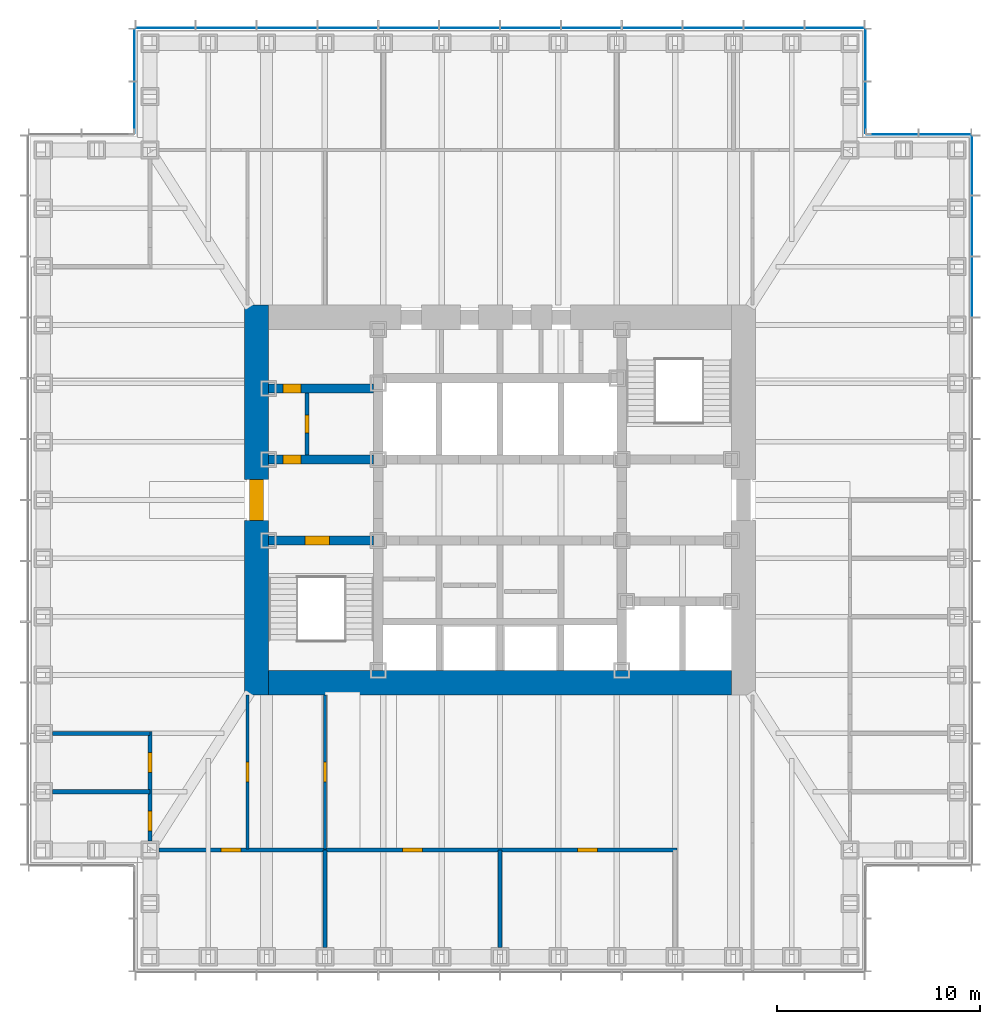
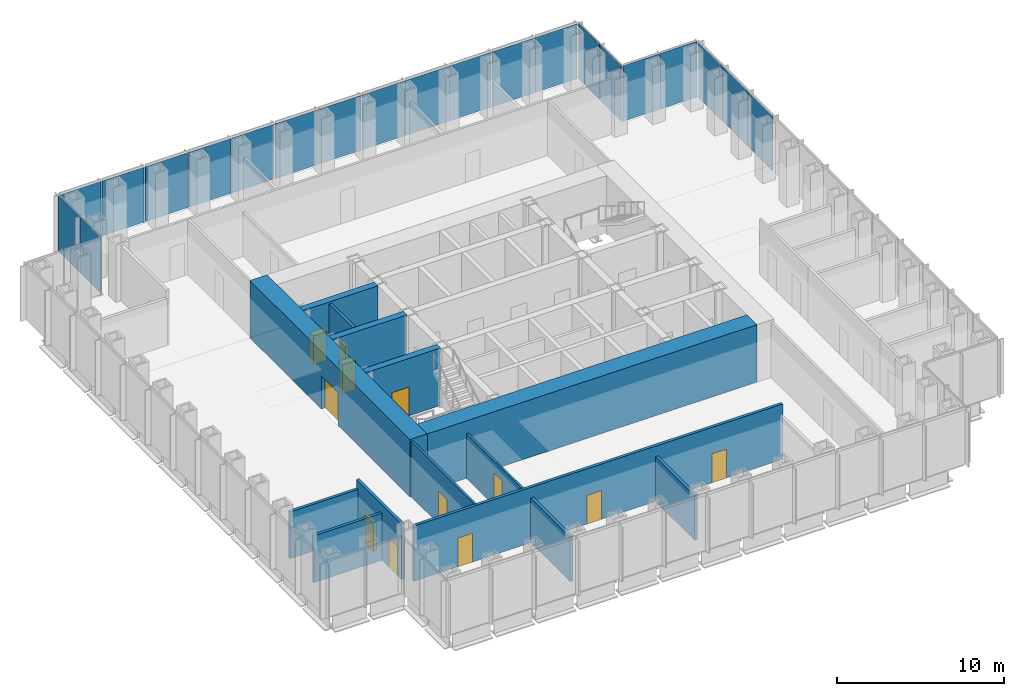
# One storey, part 8 of 17: 21 plates, 14 walls, 12 doors, 12 openings, 5 elements without a shape of their own.
"""IFC4 building model written with IfcOpenShell, lengths in metres."""

from ifc_helpers import new_model, si_unit, direction, frame, frame_2d, origin, origin_2d, place, context, subcontext, project, spatial, rectangle, extrude, material, layer, layer_set, type_object, element, fill, aggregate, save


model = new_model("IFC4")

# Units and contexts
model_context = context("Model", 3, precision=1e-05, world=origin(), true_north=direction((0.0, 1.0)))
body_context = subcontext(model_context, "Body", "Model", "MODEL_VIEW")
ifc_project = project(units=[si_unit("LENGTHUNIT", "METRE"), si_unit("AREAUNIT", "SQUARE_METRE"), si_unit("VOLUMEUNIT", "CUBIC_METRE"), si_unit("PLANEANGLEUNIT", "RADIAN"), si_unit("MASSUNIT", "GRAM", prefix="KILO")], contexts=[model_context])

# Site, building, storey
site_placement = place(None, origin())
site = spatial("IfcSite", under=ifc_project, at=site_placement, CompositionType="ELEMENT")
building_placement = place(site_placement, origin())
building = spatial("IfcBuilding", under=site, at=building_placement, Name="Daluyong Arena Tower", CompositionType="ELEMENT")
storey_placement = place(building_placement, frame((0.0, 0.0, 166.89990234375)))
storey = spatial("IfcBuildingStorey", under=building, at=storey_placement, Name="L37", CompositionType="ELEMENT", Elevation=166.89990234375)

# Curtain wall, plates
ifc_material_1 = material(Name="Bronze anodised aluminium and glass", Category="aluminium")
curtain_wall_type_1 = type_object("IfcCurtainWallType", Name="Curtain wall CW2", PredefinedType="USERDEFINED", material=ifc_material_1)
curtain_wall_1_placement = place(storey_placement, origin())
curtain_wall_1 = element("IfcCurtainWall", 1, at=curtain_wall_1_placement, inside=storey, type_object=curtain_wall_type_1, Name="curtain wall L37 E", ObjectType="UNITISED CURTAIN WALL", PredefinedType="USERDEFINED")
ifc_material_2 = material(Name="Tinted double glazed unit", Category="glass")
ifc_layer_1 = layer(ifc_material_2, 0.031982421875)
ifc_layer_set_1 = layer_set([ifc_layer_1], Name="Tinted double glazed unit")
plate_type_1 = type_object("IfcPlateType", Name="CW2 panel 32", PredefinedType="CURTAIN_PANEL", material=ifc_layer_set_1)
plate_1_placement = place(storey_placement, frame((79.25, 90.5, 0.0), z_axis=(0.0, 0.0, 1.0), x_axis=(0.0, 1.0, 0.0)))
plate_1 = element("IfcPlate", 2, at=plate_1_placement, type_object=plate_type_1, Name="curtain wall L37 E panel 10", PredefinedType="CURTAIN_PANEL", context=body_context, shape_type="SweptSolid", body=[
    extrude(rectangle(XDim=2.919921875, YDim=0.031982421875, at=origin_2d()), origin(), (0.0, 0.0, 1.0), 4.02001953125),
])
plate_2_placement = place(storey_placement, frame((79.25, 93.5, 0.0), z_axis=(0.0, 0.0, 1.0), x_axis=(0.0, 1.0, 0.0)))
plate_2 = element("IfcPlate", 3, at=plate_2_placement, type_object=plate_type_1, Name="curtain wall L37 E panel 11", PredefinedType="CURTAIN_PANEL", context=body_context, shape_type="SweptSolid", body=[
    extrude(rectangle(XDim=2.919921875, YDim=0.031982421875, at=origin_2d()), origin(), (0.0, 0.0, 1.0), 4.02001953125),
])
plate_3_placement = place(storey_placement, frame((79.25, 96.47998046875, 0.0), z_axis=(0.0, 0.0, 1.0), x_axis=(0.0, 1.0, 0.0)))
plate_3 = element("IfcPlate", 4, at=plate_3_placement, type_object=plate_type_1, Name="curtain wall L37 E panel 12", PredefinedType="CURTAIN_PANEL", context=body_context, shape_type="SweptSolid", body=[
    extrude(rectangle(XDim=2.8798828125, YDim=0.031982421875, at=origin_2d()), origin(), (0.0, 0.0, 1.0), 4.02001953125),
])
aggregate(curtain_wall_1, [plate_1, plate_2, plate_3])

curtain_wall_2_placement = place(storey_placement, origin())
curtain_wall_2 = element("IfcCurtainWall", 5, at=curtain_wall_2_placement, inside=storey, type_object=curtain_wall_type_1, Name="curtain wall L37 N", ObjectType="UNITISED CURTAIN WALL", PredefinedType="USERDEFINED")
plate_4_placement = place(storey_placement, frame((72.47998046875, 103.25, 0.0), z_axis=(0.0, 0.0, 1.0), x_axis=(-1.0, 0.0, 0.0)))
plate_4 = element("IfcPlate", 6, at=plate_4_placement, type_object=plate_type_1, Name="curtain wall L37 N panel 1", PredefinedType="CURTAIN_PANEL", context=body_context, shape_type="SweptSolid", body=[
    extrude(rectangle(XDim=2.8798828125, YDim=0.031982421875, at=origin_2d()), origin(), (0.0, 0.0, 1.0), 4.02001953125),
])
plate_5_placement = place(storey_placement, frame((69.5, 103.25, 0.0), z_axis=(0.0, 0.0, 1.0), x_axis=(-1.0, 0.0, 0.0)))
plate_5 = element("IfcPlate", 7, at=plate_5_placement, type_object=plate_type_1, Name="curtain wall L37 N panel 2", PredefinedType="CURTAIN_PANEL", context=body_context, shape_type="SweptSolid", body=[
    extrude(rectangle(XDim=2.919921875, YDim=0.031982421875, at=origin_2d()), origin(), (0.0, 0.0, 1.0), 4.02001953125),
])
plate_6_placement = place(storey_placement, frame((66.5, 103.25, 0.0), z_axis=(0.0, 0.0, 1.0), x_axis=(-1.0, 0.0, 0.0)))
plate_6 = element("IfcPlate", 8, at=plate_6_placement, type_object=plate_type_1, Name="curtain wall L37 N panel 3", PredefinedType="CURTAIN_PANEL", context=body_context, shape_type="SweptSolid", body=[
    extrude(rectangle(XDim=2.919921875, YDim=0.031982421875, at=origin_2d()), origin(), (0.0, 0.0, 1.0), 4.02001953125),
])
plate_7_placement = place(storey_placement, frame((63.5, 103.25, 0.0), z_axis=(0.0, 0.0, 1.0), x_axis=(-1.0, 0.0, 0.0)))
plate_7 = element("IfcPlate", 9, at=plate_7_placement, type_object=plate_type_1, Name="curtain wall L37 N panel 4", PredefinedType="CURTAIN_PANEL", context=body_context, shape_type="SweptSolid", body=[
    extrude(rectangle(XDim=2.919921875, YDim=0.031982421875, at=origin_2d()), origin(), (0.0, 0.0, 1.0), 4.02001953125),
])
plate_8_placement = place(storey_placement, frame((60.5, 103.25, 0.0), z_axis=(0.0, 0.0, 1.0), x_axis=(-1.0, 0.0, 0.0)))
plate_8 = element("IfcPlate", 10, at=plate_8_placement, type_object=plate_type_1, Name="curtain wall L37 N panel 5", PredefinedType="CURTAIN_PANEL", context=body_context, shape_type="SweptSolid", body=[
    extrude(rectangle(XDim=2.919921875, YDim=0.031982421875, at=origin_2d()), origin(), (0.0, 0.0, 1.0), 4.02001953125),
])
plate_9_placement = place(storey_placement, frame((57.5, 103.25, 0.0), z_axis=(0.0, 0.0, 1.0), x_axis=(-1.0, 0.0, 0.0)))
plate_9 = element("IfcPlate", 11, at=plate_9_placement, type_object=plate_type_1, Name="curtain wall L37 N panel 6", PredefinedType="CURTAIN_PANEL", context=body_context, shape_type="SweptSolid", body=[
    extrude(rectangle(XDim=2.919921875, YDim=0.031982421875, at=origin_2d()), origin(), (0.0, 0.0, 1.0), 4.02001953125),
])
plate_10_placement = place(storey_placement, frame((54.5, 103.25, 0.0), z_axis=(0.0, 0.0, 1.0), x_axis=(-1.0, 0.0, 0.0)))
plate_10 = element("IfcPlate", 12, at=plate_10_placement, type_object=plate_type_1, Name="curtain wall L37 N panel 7", PredefinedType="CURTAIN_PANEL", context=body_context, shape_type="SweptSolid", body=[
    extrude(rectangle(XDim=2.919921875, YDim=0.031982421875, at=origin_2d()), origin(), (0.0, 0.0, 1.0), 4.02001953125),
])
plate_11_placement = place(storey_placement, frame((51.5, 103.25, 0.0), z_axis=(0.0, 0.0, 1.0), x_axis=(-1.0, 0.0, 0.0)))
plate_11 = element("IfcPlate", 13, at=plate_11_placement, type_object=plate_type_1, Name="curtain wall L37 N panel 8", PredefinedType="CURTAIN_PANEL", context=body_context, shape_type="SweptSolid", body=[
    extrude(rectangle(XDim=2.919921875, YDim=0.031982421875, at=origin_2d()), origin(), (0.0, 0.0, 1.0), 4.02001953125),
])
plate_12_placement = place(storey_placement, frame((48.5, 103.25, 0.0), z_axis=(0.0, 0.0, 1.0), x_axis=(-1.0, 0.0, 0.0)))
plate_12 = element("IfcPlate", 14, at=plate_12_placement, type_object=plate_type_1, Name="curtain wall L37 N panel 9", PredefinedType="CURTAIN_PANEL", context=body_context, shape_type="SweptSolid", body=[
    extrude(rectangle(XDim=2.919921875, YDim=0.031982421875, at=origin_2d()), origin(), (0.0, 0.0, 1.0), 4.02001953125),
])
plate_13_placement = place(storey_placement, frame((45.5, 103.25, 0.0), z_axis=(0.0, 0.0, 1.0), x_axis=(-1.0, 0.0, 0.0)))
plate_13 = element("IfcPlate", 15, at=plate_13_placement, type_object=plate_type_1, Name="curtain wall L37 N panel 10", PredefinedType="CURTAIN_PANEL", context=body_context, shape_type="SweptSolid", body=[
    extrude(rectangle(XDim=2.919921875, YDim=0.031982421875, at=origin_2d()), origin(), (0.0, 0.0, 1.0), 4.02001953125),
])
plate_14_placement = place(storey_placement, frame((42.5, 103.25, 0.0), z_axis=(0.0, 0.0, 1.0), x_axis=(-1.0, 0.0, 0.0)))
plate_14 = element("IfcPlate", 16, at=plate_14_placement, type_object=plate_type_1, Name="curtain wall L37 N panel 11", PredefinedType="CURTAIN_PANEL", context=body_context, shape_type="SweptSolid", body=[
    extrude(rectangle(XDim=2.919921875, YDim=0.031982421875, at=origin_2d()), origin(), (0.0, 0.0, 1.0), 4.02001953125),
])
plate_15_placement = place(storey_placement, frame((39.52001953125, 103.25, 0.0), z_axis=(0.0, 0.0, 1.0), x_axis=(-1.0, 0.0, 0.0)))
plate_15 = element("IfcPlate", 17, at=plate_15_placement, type_object=plate_type_1, Name="curtain wall L37 N panel 12", PredefinedType="CURTAIN_PANEL", context=body_context, shape_type="SweptSolid", body=[
    extrude(rectangle(XDim=2.8798828125, YDim=0.031982421875, at=origin_2d()), origin(), (0.0, 0.0, 1.0), 4.02001953125),
])
aggregate(curtain_wall_2, [plate_4, plate_5, plate_6, plate_7, plate_8, plate_9, plate_10, plate_11, plate_12, plate_13, plate_14, plate_15])

ifc_material_3 = material(Name="Bronze anodised aluminium and glass", Category="aluminium")
curtain_wall_type_2 = type_object("IfcCurtainWallType", Name="Curtain wall CW7", PredefinedType="USERDEFINED", material=ifc_material_3)
curtain_wall_3_placement = place(storey_placement, origin())
curtain_wall_3 = element("IfcCurtainWall", 18, at=curtain_wall_3_placement, inside=storey, type_object=curtain_wall_type_2, Name="curtain wall L37 NE-N", ObjectType="UNITISED CURTAIN WALL", PredefinedType="USERDEFINED")
ifc_material_4 = material(Name="Tinted double glazed unit", Category="glass")
ifc_layer_2 = layer(ifc_material_4, 0.028076171875)
ifc_layer_set_2 = layer_set([ifc_layer_2], Name="Tinted double glazed unit")
plate_type_2 = type_object("IfcPlateType", Name="CW7 panel 28", PredefinedType="CURTAIN_PANEL", material=ifc_layer_set_2)
plate_16_placement = place(storey_placement, frame((77.922607421875, 98.0, 0.0), z_axis=(0.0, 0.0, 1.0), x_axis=(-1.0, 0.0, 0.0)))
plate_16 = element("IfcPlate", 19, at=plate_16_placement, type_object=plate_type_2, Name="curtain wall L37 NE-N panel 1", PredefinedType="CURTAIN_PANEL", context=body_context, shape_type="SweptSolid", body=[
    extrude(rectangle(XDim=2.534912109375, YDim=0.028076171875, at=origin_2d()), origin(), (0.0, 0.0, 1.0), 4.080078125),
])
plate_17_placement = place(storey_placement, frame((75.327392578125, 98.0, 0.0), z_axis=(0.0, 0.0, 1.0), x_axis=(-1.0, 0.0, 0.0)))
plate_17 = element("IfcPlate", 20, at=plate_17_placement, type_object=plate_type_2, Name="curtain wall L37 NE-N panel 2", PredefinedType="CURTAIN_PANEL", context=body_context, shape_type="SweptSolid", body=[
    extrude(rectangle(XDim=2.534912109375, YDim=0.028076171875, at=origin_2d()), origin(), (0.0, 0.0, 1.0), 4.080078125),
])
aggregate(curtain_wall_3, [plate_16, plate_17])

curtain_wall_4_placement = place(storey_placement, origin())
curtain_wall_4 = element("IfcCurtainWall", 21, at=curtain_wall_4_placement, inside=storey, type_object=curtain_wall_type_2, Name="curtain wall L37 NE-E", ObjectType="UNITISED CURTAIN WALL", PredefinedType="USERDEFINED")
plate_18_placement = place(storey_placement, frame((74.0, 99.327392578125, 0.0), z_axis=(0.0, 0.0, 1.0), x_axis=(0.0, 1.0, 0.0)))
plate_18 = element("IfcPlate", 22, at=plate_18_placement, type_object=plate_type_2, Name="curtain wall L37 NE-E panel 1", PredefinedType="CURTAIN_PANEL", context=body_context, shape_type="SweptSolid", body=[
    extrude(rectangle(XDim=2.534912109375, YDim=0.028076171875, at=origin_2d()), origin(), (0.0, 0.0, 1.0), 4.080078125),
])
plate_19_placement = place(storey_placement, frame((74.0, 101.922607421875, 0.0), z_axis=(0.0, 0.0, 1.0), x_axis=(0.0, 1.0, 0.0)))
plate_19 = element("IfcPlate", 23, at=plate_19_placement, type_object=plate_type_2, Name="curtain wall L37 NE-E panel 2", PredefinedType="CURTAIN_PANEL", context=body_context, shape_type="SweptSolid", body=[
    extrude(rectangle(XDim=2.534912109375, YDim=0.028076171875, at=origin_2d()), origin(), (0.0, 0.0, 1.0), 4.080078125),
])
aggregate(curtain_wall_4, [plate_18, plate_19])

curtain_wall_5_placement = place(storey_placement, origin())
curtain_wall_5 = element("IfcCurtainWall", 24, at=curtain_wall_5_placement, inside=storey, type_object=curtain_wall_type_2, Name="curtain wall L37 NW-W", ObjectType="UNITISED CURTAIN WALL", PredefinedType="USERDEFINED")
plate_20_placement = place(storey_placement, frame((38.0, 101.922607421875, 0.0), z_axis=(0.0, 0.0, 1.0), x_axis=(0.0, -1.0, 0.0)))
plate_20 = element("IfcPlate", 25, at=plate_20_placement, type_object=plate_type_2, Name="curtain wall L37 NW-W panel 1", PredefinedType="CURTAIN_PANEL", context=body_context, shape_type="SweptSolid", body=[
    extrude(rectangle(XDim=2.534912109375, YDim=0.028076171875, at=origin_2d()), origin(), (0.0, 0.0, 1.0), 4.080078125),
])
plate_21_placement = place(storey_placement, frame((38.0, 99.327392578125, 0.0), z_axis=(0.0, 0.0, 1.0), x_axis=(0.0, -1.0, 0.0)))
plate_21 = element("IfcPlate", 26, at=plate_21_placement, type_object=plate_type_2, Name="curtain wall L37 NW-W panel 2", PredefinedType="CURTAIN_PANEL", context=body_context, shape_type="SweptSolid", body=[
    extrude(rectangle(XDim=2.534912109375, YDim=0.028076171875, at=origin_2d()), origin(), (0.0, 0.0, 1.0), 4.080078125),
])
aggregate(curtain_wall_5, [plate_20, plate_21])

# Wall, opening, door
ifc_material_5 = material(Name="Concrete fc' 45 MPa", Category="concrete")
ifc_layer_3 = layer(ifc_material_5, 0.449951171875)
ifc_layer_set_3 = layer_set([ifc_layer_3], Name="Concrete fc' 45 MPa")
wall_type_1 = type_object("IfcWallType", Name="Core inner wall 450", PredefinedType="SHEAR", material=ifc_layer_set_3)
wall_1_placement = place(storey_placement, frame((44.60009765625, 78.0, 0.0), z_axis=(0.0, 0.0, 1.0), x_axis=(1.0, 0.0, 0.0)))
wall_1 = element("IfcWall", 27, at=wall_1_placement, inside=storey, type_object=wall_type_1, Name="core inner wall at L37", PredefinedType="SHEAR", context=body_context, shape_type="SweptSolid", body=[
    extrude(rectangle(XDim=5.1748046875, YDim=0.449951171875, at=frame_2d((2.58740234375, 0.0))), origin(), (0.0, 0.0, 1.0), 4.2001953125),
])
opening_1_placement = place(wall_1_placement, frame((1.800048828125, 0.0, 0.0)))
opening_1 = element("IfcOpeningElement", 28, at=opening_1_placement, cuts=wall_1, Name="Opening 37016", PredefinedType="OPENING", context=body_context, shape_type="SweptSolid", body=[
    extrude(rectangle(XDim=1.199951171875, YDim=2.10009765625, at=frame_2d((0.60009765625, 1.050048828125))), frame((0.0, 0.23486328125, 0.0), z_axis=(0.0, -1.0, 0.0), x_axis=(1.0, 0.0, 0.0)), (0.0, 0.0, 1.0), 0.469970703125),
])
ifc_material_6 = material(Name="Steel door, fire rated", Category="steel")
door_type_1 = type_object("IfcDoorType", Name="Stair door 1200", OperationType="SINGLE_SWING_LEFT", PredefinedType="DOOR", material=ifc_material_6)
door_1_placement = place(opening_1_placement, origin())
door_1 = element("IfcDoor", 29, at=door_1_placement, inside=storey, type_object=door_type_1, Name="stair A door 37016", OperationType="SINGLE_SWING_LEFT", OverallHeight=2.10009765625, OverallWidth=1.199951171875, PredefinedType="DOOR", context=body_context, shape_type="SweptSolid", body=[
    extrude(rectangle(XDim=1.199951171875, YDim=2.10009765625, at=frame_2d((0.60009765625, 1.050048828125))), frame((0.0, 0.224609375, 0.0), z_axis=(0.0, -1.0, 0.0), x_axis=(1.0, 0.0, 0.0)), (0.0, 0.0, 1.0), 0.449462890625),
])
fill(opening_1, door_1)

wall_2_placement = place(storey_placement, frame((44.60009765625, 82.0, 0.0), z_axis=(0.0, 0.0, 1.0), x_axis=(1.0, 0.0, 0.0)))
wall_2 = element("IfcWall", 30, at=wall_2_placement, inside=storey, type_object=wall_type_1, Name="core inner wall at L37", PredefinedType="SHEAR", context=body_context, shape_type="SweptSolid", body=[
    extrude(rectangle(XDim=5.1748046875, YDim=0.449951171875, at=frame_2d((2.58740234375, 0.0))), origin(), (0.0, 0.0, 1.0), 4.2001953125),
])
opening_2_placement = place(wall_2_placement, frame((0.699951171875, 0.0, 0.0)))
opening_2 = element("IfcOpeningElement", 31, at=opening_2_placement, cuts=wall_2, Name="Opening 37001", PredefinedType="OPENING", context=body_context, shape_type="SweptSolid", body=[
    extrude(rectangle(XDim=0.89990234375, YDim=2.10009765625, at=frame_2d((0.449951171875, 1.050048828125))), frame((0.0, 0.23486328125, 0.0), z_axis=(0.0, -1.0, 0.0), x_axis=(1.0, 0.0, 0.0)), (0.0, 0.0, 1.0), 0.469970703125),
])
ifc_material_7 = material(Name="Steel door, fire rated", Category="steel")
door_type_2 = type_object("IfcDoorType", Name="Core room door 900", OperationType="SINGLE_SWING_LEFT", PredefinedType="DOOR", material=ifc_material_7)
door_2_placement = place(opening_2_placement, origin())
door_2 = element("IfcDoor", 32, at=door_2_placement, inside=storey, type_object=door_type_2, Name="toilet lobby door 37001", OperationType="SINGLE_SWING_LEFT", OverallHeight=2.10009765625, OverallWidth=0.89990234375, PredefinedType="DOOR", context=body_context, shape_type="SweptSolid", body=[
    extrude(rectangle(XDim=0.89990234375, YDim=2.10009765625, at=frame_2d((0.449951171875, 1.050048828125))), frame((0.0, 0.224609375, 0.0), z_axis=(0.0, -1.0, 0.0), x_axis=(1.0, 0.0, 0.0)), (0.0, 0.0, 1.0), 0.449462890625),
])
fill(opening_2, door_2)

wall_3_placement = place(storey_placement, frame((44.60009765625, 85.5, 0.0), z_axis=(0.0, 0.0, 1.0), x_axis=(1.0, 0.0, 0.0)))
wall_3 = element("IfcWall", 33, at=wall_3_placement, inside=storey, type_object=wall_type_1, Name="core inner wall at L37", PredefinedType="SHEAR", context=body_context, shape_type="SweptSolid", body=[
    extrude(rectangle(XDim=5.1748046875, YDim=0.449951171875, at=frame_2d((2.58740234375, 0.0))), origin(), (0.0, 0.0, 1.0), 4.2001953125),
])
opening_3_placement = place(wall_3_placement, frame((0.699951171875, 0.0, 0.0)))
opening_3 = element("IfcOpeningElement", 34, at=opening_3_placement, cuts=wall_3, Name="Opening 37003", PredefinedType="OPENING", context=body_context, shape_type="SweptSolid", body=[
    extrude(rectangle(XDim=0.89990234375, YDim=2.10009765625, at=frame_2d((0.449951171875, 1.050048828125))), frame((0.0, 0.23486328125, 0.0), z_axis=(0.0, -1.0, 0.0), x_axis=(1.0, 0.0, 0.0)), (0.0, 0.0, 1.0), 0.469970703125),
])
ifc_material_8 = material(Name="Timber door", Category="wood")
door_type_3 = type_object("IfcDoorType", Name="Toilet door 900", OperationType="SINGLE_SWING_RIGHT", PredefinedType="DOOR", material=ifc_material_8)
door_3_placement = place(opening_3_placement, origin())
door_3 = element("IfcDoor", 35, at=door_3_placement, inside=storey, type_object=door_type_3, Name="female toilet door 37003", OperationType="SINGLE_SWING_RIGHT", OverallHeight=2.10009765625, OverallWidth=0.89990234375, PredefinedType="DOOR", context=body_context, shape_type="SweptSolid", body=[
    extrude(rectangle(XDim=0.89990234375, YDim=2.10009765625, at=frame_2d((0.449951171875, 1.050048828125))), frame((0.0, 0.224609375, 0.0), z_axis=(0.0, -1.0, 0.0), x_axis=(1.0, 0.0, 0.0)), (0.0, 0.0, 1.0), 0.449462890625),
])
fill(opening_3, door_3)

ifc_material_9 = material(Name="Concrete fc' 60 MPa", Category="concrete")
ifc_layer_4 = layer(ifc_material_9, 1.199951171875)
ifc_layer_set_4 = layer_set([ifc_layer_4], Name="Concrete fc' 60 MPa")
wall_type_2 = type_object("IfcWallType", Name="Core wall 1200", PredefinedType="SHEAR", material=ifc_layer_set_4)
wall_4_placement = place(storey_placement, frame((44.0, 70.39990234375, 0.0), z_axis=(0.0, 0.0, 1.0), x_axis=(0.0, 1.0, 0.0)))
wall_4 = element("IfcWall", 36, at=wall_4_placement, inside=storey, type_object=wall_type_2, Name="core wall at L37", PredefinedType="SHEAR", context=body_context, shape_type="SweptSolid", body=[
    extrude(rectangle(XDim=19.2001953125, YDim=1.199951171875, at=frame_2d((9.60009765625, 0.0))), origin(), (0.0, 0.0, 1.0), 4.2001953125),
])
opening_4_placement = place(wall_4_placement, frame((8.60009765625, 0.0, 0.0)))
opening_4 = element("IfcOpeningElement", 37, at=opening_4_placement, cuts=wall_4, Name="Opening 37018", PredefinedType="OPENING", context=body_context, shape_type="SweptSolid", body=[
    extrude(rectangle(XDim=2.0, YDim=2.39990234375, at=frame_2d((1.0, 1.199951171875))), frame((0.0, 0.60986328125, 0.0), z_axis=(0.0, -1.0, 0.0), x_axis=(1.0, 0.0, 0.0)), (0.0, 0.0, 1.0), 1.219970703125),
])
ifc_material_10 = material(Name="Steel door, fire rated", Category="steel")
door_type_4 = type_object("IfcDoorType", Name="Core lobby double door 2000", OperationType="DOUBLE_DOOR_SINGLE_SWING", PredefinedType="DOOR", material=ifc_material_10)
door_4_placement = place(opening_4_placement, origin())
door_4 = element("IfcDoor", 38, at=door_4_placement, inside=storey, type_object=door_type_4, Name="core lobby door west 37018", OperationType="DOUBLE_DOOR_SINGLE_SWING", OverallHeight=2.39990234375, OverallWidth=2.0, PredefinedType="DOOR", context=body_context, shape_type="SweptSolid", body=[
    extrude(rectangle(XDim=2.0, YDim=2.39990234375, at=frame_2d((1.0, 1.199951171875))), frame((0.0, 0.35009765625, 0.0), z_axis=(0.0, -1.0, 0.0), x_axis=(1.0, 0.0, 0.0)), (0.0, 0.0, 1.0), 0.699951171875),
])
fill(opening_4, door_4)

# Wall
wall_5_placement = place(storey_placement, frame((44.60009765625, 71.0, 0.0), z_axis=(0.0, 0.0, 1.0), x_axis=(1.0, 0.0, 0.0)))
element("IfcWall", 39, at=wall_5_placement, inside=storey, type_object=wall_type_2, Name="core wall at L37", PredefinedType="SHEAR", context=body_context, shape_type="SweptSolid", body=[
    extrude(rectangle(XDim=22.7998046875, YDim=1.199951171875, at=frame_2d((11.39990234375, 0.0))), origin(), (0.0, 0.0, 1.0), 4.2001953125),
])

# Wall, opening, door
ifc_material_11 = material(Name="Concrete block partition, fire rated", Category="concrete")
ifc_layer_5 = layer(ifc_material_11, 0.199951171875)
ifc_layer_set_5 = layer_set([ifc_layer_5], Name="Concrete block partition, fire rated")
wall_type_3 = type_object("IfcWallType", Name="Fire-rated partition 200", PredefinedType="PARTITIONING", material=ifc_layer_set_5)
wall_6_placement = place(storey_placement, frame((46.5, 82.22509765625, 0.0), z_axis=(0.0, 0.0, 1.0), x_axis=(0.0, 1.0, 0.0)))
wall_6 = element("IfcWall", 40, at=wall_6_placement, inside=storey, type_object=wall_type_3, Name="toilet lobby partition at L37", PredefinedType="PARTITIONING", context=body_context, shape_type="SweptSolid", body=[
    extrude(rectangle(XDim=3.0498046875, YDim=0.199951171875, at=frame_2d((1.52490234375, 0.0))), origin(), (0.0, 0.0, 1.0), 4.0400390625),
])
opening_5_placement = place(wall_6_placement, frame((1.074951171875, 0.0, 0.0)))
opening_5 = element("IfcOpeningElement", 41, at=opening_5_placement, cuts=wall_6, Name="Opening 37002", PredefinedType="OPENING", context=body_context, shape_type="SweptSolid", body=[
    extrude(rectangle(XDim=0.89990234375, YDim=2.10009765625, at=frame_2d((0.449951171875, 1.050048828125))), frame((0.0, 0.10986328125, 0.0), z_axis=(0.0, -1.0, 0.0), x_axis=(1.0, 0.0, 0.0)), (0.0, 0.0, 1.0), 0.219970703125),
])
door_5_placement = place(opening_5_placement, origin())
door_5 = element("IfcDoor", 42, at=door_5_placement, inside=storey, type_object=door_type_3, Name="male toilet door 37002", OperationType="SINGLE_SWING_RIGHT", OverallHeight=2.10009765625, OverallWidth=0.89990234375, PredefinedType="DOOR", context=body_context, shape_type="SweptSolid", body=[
    extrude(rectangle(XDim=0.89990234375, YDim=2.10009765625, at=frame_2d((0.449951171875, 1.050048828125))), frame((0.0, 0.099609375, 0.0), z_axis=(0.0, -1.0, 0.0), x_axis=(1.0, 0.0, 0.0)), (0.0, 0.0, 1.0), 0.199462890625),
])
fill(opening_5, door_5)

ifc_material_12 = material(Name="Glazed aluminium partition", Category="aluminium")
ifc_layer_6 = layer(ifc_material_12, 0.14990234375)
ifc_layer_set_6 = layer_set([ifc_layer_6], Name="Glazed aluminium partition")
wall_type_4 = type_object("IfcWallType", Name="Glazed partition 150", PredefinedType="PARTITIONING", material=ifc_layer_set_6)
wall_7_placement = place(storey_placement, frame((43.550048828125, 62.800048828125, 0.0), z_axis=(0.0, 0.0, 1.0), x_axis=(0.0, 1.0, 0.0)))
wall_7 = element("IfcWall", 43, at=wall_7_placement, inside=storey, type_object=wall_type_4, Name="glazed partition at L37", PredefinedType="PARTITIONING", context=body_context, shape_type="SweptSolid", body=[
    extrude(rectangle(XDim=7.599853515625, YDim=0.14990234375, at=frame_2d((3.7998046875, 0.0))), origin(), (0.0, 0.0, 1.0), 4.0400390625),
])
opening_6_placement = place(wall_7_placement, frame((3.300048828125, 0.0, 0.0)))
opening_6 = element("IfcOpeningElement", 44, at=opening_6_placement, cuts=wall_7, Name="Opening 37044", PredefinedType="OPENING", context=body_context, shape_type="SweptSolid", body=[
    extrude(rectangle(XDim=1.0, YDim=2.39990234375, at=frame_2d((0.5, 1.199951171875))), frame((0.0, 0.0849609375, 0.0), z_axis=(0.0, -1.0, 0.0), x_axis=(1.0, 0.0, 0.0)), (0.0, 0.0, 1.0), 0.169921875),
])
ifc_material_13 = material(Name="Glazed aluminium door", Category="aluminium")
door_type_5 = type_object("IfcDoorType", Name="Meeting room glazed door 1000", OperationType="SINGLE_SWING_RIGHT", PredefinedType="DOOR", material=ifc_material_13)
door_6_placement = place(opening_6_placement, origin())
door_6 = element("IfcDoor", 45, at=door_6_placement, inside=storey, type_object=door_type_5, Name="team area screen door 37044", OperationType="SINGLE_SWING_RIGHT", OverallHeight=2.39990234375, OverallWidth=1.0, PredefinedType="DOOR", context=body_context, shape_type="SweptSolid", body=[
    extrude(rectangle(XDim=1.0, YDim=2.39990234375, at=frame_2d((0.5, 1.199951171875))), frame((0.0, 0.07470703125, 0.0), z_axis=(0.0, -1.0, 0.0), x_axis=(1.0, 0.0, 0.0)), (0.0, 0.0, 1.0), 0.1494140625),
])
fill(opening_6, door_6)

wall_8_placement = place(storey_placement, frame((47.375, 62.800048828125, 0.0), z_axis=(0.0, 0.0, 1.0), x_axis=(0.0, 1.0, 0.0)))
wall_8 = element("IfcWall", 46, at=wall_8_placement, inside=storey, type_object=wall_type_4, Name="glazed partition at L37", PredefinedType="PARTITIONING", context=body_context, shape_type="SweptSolid", body=[
    extrude(rectangle(XDim=7.599853515625, YDim=0.14990234375, at=frame_2d((3.7998046875, 0.0))), origin(), (0.0, 0.0, 1.0), 3.278076171875),
])
opening_7_placement = place(wall_8_placement, frame((3.300048828125, 0.0, 0.0)))
opening_7 = element("IfcOpeningElement", 47, at=opening_7_placement, cuts=wall_8, Name="Opening 37048", PredefinedType="OPENING", context=body_context, shape_type="SweptSolid", body=[
    extrude(rectangle(XDim=1.0, YDim=2.39990234375, at=frame_2d((0.5, 1.199951171875))), frame((0.0, 0.0849609375, 0.0), z_axis=(0.0, -1.0, 0.0), x_axis=(1.0, 0.0, 0.0)), (0.0, 0.0, 1.0), 0.169921875),
])
door_7_placement = place(opening_7_placement, origin())
door_7 = element("IfcDoor", 48, at=door_7_placement, inside=storey, type_object=door_type_5, Name="team area screen door 37048", OperationType="SINGLE_SWING_RIGHT", OverallHeight=2.39990234375, OverallWidth=1.0, PredefinedType="DOOR", context=body_context, shape_type="SweptSolid", body=[
    extrude(rectangle(XDim=1.0, YDim=2.39990234375, at=frame_2d((0.5, 1.199951171875))), frame((0.0, 0.07470703125, 0.0), z_axis=(0.0, -1.0, 0.0), x_axis=(1.0, 0.0, 0.0)), (0.0, 0.0, 1.0), 0.1494140625),
])
fill(opening_7, door_7)

# Walls
ifc_material_14 = material(Name="Concrete block partition", Category="concrete")
ifc_layer_7 = layer(ifc_material_14, 0.199951171875)
ifc_layer_set_7 = layer_set([ifc_layer_7], Name="Concrete block partition")
wall_type_5 = type_object("IfcWallType", Name="Partition 200", PredefinedType="PARTITIONING", material=ifc_layer_set_7)
for number, where, z_axis, x_axis, name in (
    (49, (47.375, 57.949951171875, 0.0), (0.0, 0.0, 1.0), (0.0, 1.0, 0.0), "partition at L37"),
    (50, (56.0, 57.949951171875, 0.0), (0.0, 0.0, 1.0), (0.0, 1.0, 0.0), "partition at L37"),
):
    element("IfcWall", number, at=place(storey_placement, frame(where, z_axis=z_axis, x_axis=x_axis)), inside=storey, type_object=wall_type_5, Name=name, PredefinedType="PARTITIONING", context=body_context, shape_type="SweptSolid", body=[
        extrude(rectangle(XDim=4.800048828125, YDim=0.199951171875, at=frame_2d((2.39990234375, 0.0))), origin(), (0.0, 0.0, 1.0), 3.278076171875),
    ])
for number, where, z_axis, x_axis, name in (
    (51, (33.949951171875, 65.625, 0.0), (0.0, 0.0, 1.0), (1.0, 0.0, 0.0), "partition at L37"),
    (52, (33.949951171875, 68.5, 0.0), (0.0, 0.0, 1.0), (1.0, 0.0, 0.0), "partition at L37"),
):
    element("IfcWall", number, at=place(storey_placement, frame(where, z_axis=z_axis, x_axis=x_axis)), inside=storey, type_object=wall_type_5, Name=name, PredefinedType="PARTITIONING", context=body_context, shape_type="SweptSolid", body=[
        extrude(rectangle(XDim=4.800048828125, YDim=0.199951171875, at=frame_2d((2.39990234375, 0.0))), origin(), (0.0, 0.0, 1.0), 3.427978515625),
    ])

# Wall, openings, doors
wall_9_placement = place(storey_placement, frame((39.199951171875, 62.75, 0.0), z_axis=(0.0, 0.0, 1.0), x_axis=(1.0, 0.0, 0.0)))
wall_9 = element("IfcWall", 53, at=wall_9_placement, inside=storey, type_object=wall_type_5, Name="partition at L37", PredefinedType="PARTITIONING", context=body_context, shape_type="SweptSolid", body=[
    extrude(rectangle(XDim=25.525146484375, YDim=0.199951171875, at=frame_2d((12.7626953125, 0.0))), origin(), (0.0, 0.0, 1.0), 4.0400390625),
])
opening_8_placement = place(wall_9_placement, frame((3.050048828125, 0.0, 0.0)))
opening_8 = element("IfcOpeningElement", 54, at=opening_8_placement, cuts=wall_9, Name="Opening 37029", PredefinedType="OPENING", context=body_context, shape_type="SweptSolid", body=[
    extrude(rectangle(XDim=1.0, YDim=2.10009765625, at=frame_2d((0.5, 1.050048828125))), frame((0.0, 0.10986328125, 0.0), z_axis=(0.0, -1.0, 0.0), x_axis=(1.0, 0.0, 0.0)), (0.0, 0.0, 1.0), 0.219970703125),
])
opening_9_placement = place(wall_9_placement, frame((11.987548828125, 0.0, 0.0)))
opening_9 = element("IfcOpeningElement", 55, at=opening_9_placement, cuts=wall_9, Name="Opening 37030", PredefinedType="OPENING", context=body_context, shape_type="SweptSolid", body=[
    extrude(rectangle(XDim=1.0, YDim=2.10009765625, at=frame_2d((0.5, 1.050048828125))), frame((0.0, 0.10986328125, 0.0), z_axis=(0.0, -1.0, 0.0), x_axis=(1.0, 0.0, 0.0)), (0.0, 0.0, 1.0), 0.219970703125),
])
opening_10_placement = place(wall_9_placement, frame((20.612548828125, 0.0, 0.0)))
opening_10 = element("IfcOpeningElement", 56, at=opening_10_placement, cuts=wall_9, Name="Opening 37031", PredefinedType="OPENING", context=body_context, shape_type="SweptSolid", body=[
    extrude(rectangle(XDim=1.0, YDim=2.10009765625, at=frame_2d((0.5, 1.050048828125))), frame((0.0, 0.10986328125, 0.0), z_axis=(0.0, -1.0, 0.0), x_axis=(1.0, 0.0, 0.0)), (0.0, 0.0, 1.0), 0.219970703125),
])
ifc_material_15 = material(Name="Timber door", Category="wood")
door_type_6 = type_object("IfcDoorType", Name="Room door 1000", OperationType="SINGLE_SWING_LEFT", PredefinedType="DOOR", material=ifc_material_15)
door_8_placement = place(opening_8_placement, origin())
door_8 = element("IfcDoor", 57, at=door_8_placement, inside=storey, type_object=door_type_6, Name="training room door 37029", OperationType="SINGLE_SWING_LEFT", OverallHeight=2.10009765625, OverallWidth=1.0, PredefinedType="DOOR", context=body_context, shape_type="SweptSolid", body=[
    extrude(rectangle(XDim=1.0, YDim=2.10009765625, at=frame_2d((0.5, 1.050048828125))), frame((0.0, 0.099609375, 0.0), z_axis=(0.0, -1.0, 0.0), x_axis=(1.0, 0.0, 0.0)), (0.0, 0.0, 1.0), 0.199462890625),
])
fill(opening_8, door_8)
door_9_placement = place(opening_9_placement, origin())
door_9 = element("IfcDoor", 58, at=door_9_placement, inside=storey, type_object=door_type_6, Name="training room door 37030", OperationType="SINGLE_SWING_LEFT", OverallHeight=2.10009765625, OverallWidth=1.0, PredefinedType="DOOR", context=body_context, shape_type="SweptSolid", body=[
    extrude(rectangle(XDim=1.0, YDim=2.10009765625, at=frame_2d((0.5, 1.050048828125))), frame((0.0, 0.099609375, 0.0), z_axis=(0.0, -1.0, 0.0), x_axis=(1.0, 0.0, 0.0)), (0.0, 0.0, 1.0), 0.199462890625),
])
fill(opening_9, door_9)
door_10_placement = place(opening_10_placement, origin())
door_10 = element("IfcDoor", 59, at=door_10_placement, inside=storey, type_object=door_type_6, Name="training room door 37031", OperationType="SINGLE_SWING_LEFT", OverallHeight=2.10009765625, OverallWidth=1.0, PredefinedType="DOOR", context=body_context, shape_type="SweptSolid", body=[
    extrude(rectangle(XDim=1.0, YDim=2.10009765625, at=frame_2d((0.5, 1.050048828125))), frame((0.0, 0.099609375, 0.0), z_axis=(0.0, -1.0, 0.0), x_axis=(1.0, 0.0, 0.0)), (0.0, 0.0, 1.0), 0.199462890625),
])
fill(opening_10, door_10)

wall_10_placement = place(storey_placement, frame((38.75, 63.199951171875, 0.0), z_axis=(0.0, 0.0, 1.0), x_axis=(0.0, 1.0, 0.0)))
wall_10 = element("IfcWall", 60, at=wall_10_placement, inside=storey, type_object=wall_type_5, Name="partition at L37", PredefinedType="PARTITIONING", context=body_context, shape_type="SweptSolid", body=[
    extrude(rectangle(XDim=5.400146484375, YDim=0.199951171875, at=frame_2d((2.7001953125, 0.0))), origin(), (0.0, 0.0, 1.0), 4.0400390625),
])
opening_11_placement = place(wall_10_placement, frame((0.487548828125, 0.0, 0.0)))
opening_11 = element("IfcOpeningElement", 61, at=opening_11_placement, cuts=wall_10, Name="Opening 37041", PredefinedType="OPENING", context=body_context, shape_type="SweptSolid", body=[
    extrude(rectangle(XDim=1.0, YDim=2.10009765625, at=frame_2d((0.5, 1.050048828125))), frame((0.0, 0.10986328125, 0.0), z_axis=(0.0, -1.0, 0.0), x_axis=(1.0, 0.0, 0.0)), (0.0, 0.0, 1.0), 0.219970703125),
])
opening_12_placement = place(wall_10_placement, frame((3.362548828125, 0.0, 0.0)))
opening_12 = element("IfcOpeningElement", 62, at=opening_12_placement, cuts=wall_10, Name="Opening 37042", PredefinedType="OPENING", context=body_context, shape_type="SweptSolid", body=[
    extrude(rectangle(XDim=1.0, YDim=2.10009765625, at=frame_2d((0.5, 1.050048828125))), frame((0.0, 0.10986328125, 0.0), z_axis=(0.0, -1.0, 0.0), x_axis=(1.0, 0.0, 0.0)), (0.0, 0.0, 1.0), 0.219970703125),
])
door_11_placement = place(opening_11_placement, origin())
door_11 = element("IfcDoor", 63, at=door_11_placement, inside=storey, type_object=door_type_6, Name="quiet room door 37041", OperationType="SINGLE_SWING_LEFT", OverallHeight=2.10009765625, OverallWidth=1.0, PredefinedType="DOOR", context=body_context, shape_type="SweptSolid", body=[
    extrude(rectangle(XDim=1.0, YDim=2.10009765625, at=frame_2d((0.5, 1.050048828125))), frame((0.0, 0.099609375, 0.0), z_axis=(0.0, -1.0, 0.0), x_axis=(1.0, 0.0, 0.0)), (0.0, 0.0, 1.0), 0.199462890625),
])
fill(opening_11, door_11)
door_12_placement = place(opening_12_placement, origin())
door_12 = element("IfcDoor", 64, at=door_12_placement, inside=storey, type_object=door_type_6, Name="lactation room door 37042", OperationType="SINGLE_SWING_LEFT", OverallHeight=2.10009765625, OverallWidth=1.0, PredefinedType="DOOR", context=body_context, shape_type="SweptSolid", body=[
    extrude(rectangle(XDim=1.0, YDim=2.10009765625, at=frame_2d((0.5, 1.050048828125))), frame((0.0, 0.099609375, 0.0), z_axis=(0.0, -1.0, 0.0), x_axis=(1.0, 0.0, 0.0)), (0.0, 0.0, 1.0), 0.199462890625),
])
fill(opening_12, door_12)

save(model, "model.ifc")
